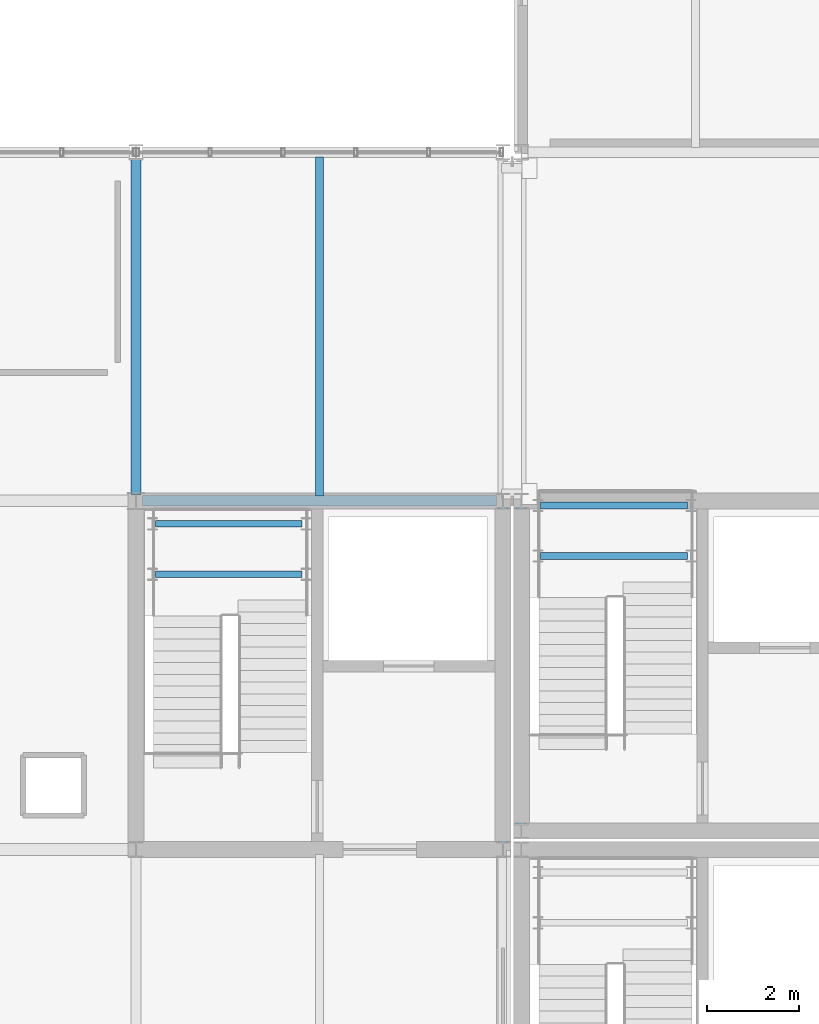
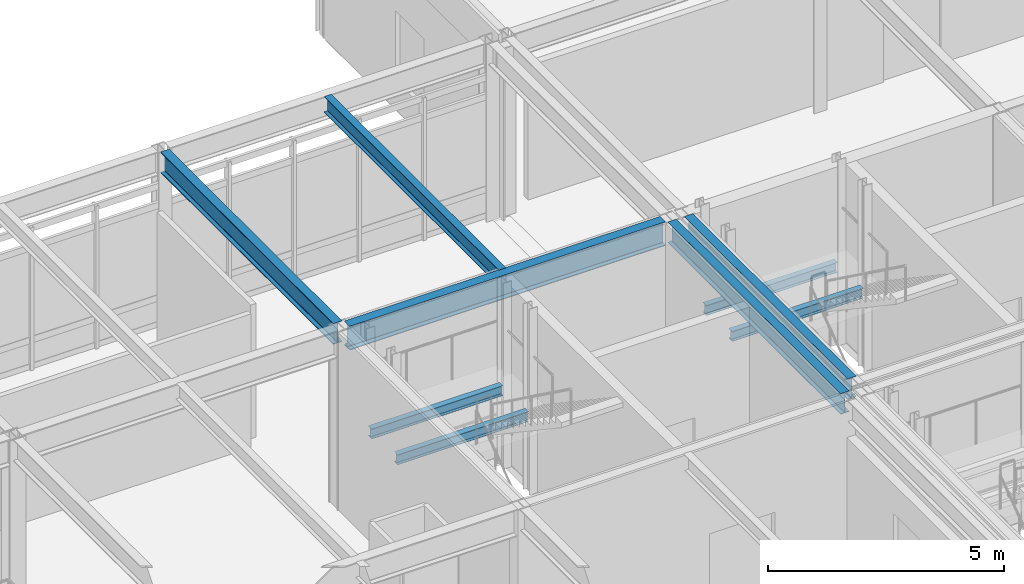
# One storey, part 55 of 104: 9 beams.
"""IFC4 building model written with IfcOpenShell, lengths in metres."""

from ifc_helpers import new_model, si_unit, direction, frame, origin, origin_2d, place, context, subcontext, project, spatial, i_section, extrude, material, material_profile, profile_set, type_object, element, save


model = new_model("IFC4")

# Units and contexts
model_context = context("Model", 3, precision=1e-05, world=origin(), true_north=direction((0.0, 1.0)))
body_context = subcontext(model_context, "Body", "Model", "MODEL_VIEW")
ifc_project = project(units=[si_unit("LENGTHUNIT", "METRE"), si_unit("AREAUNIT", "SQUARE_METRE"), si_unit("VOLUMEUNIT", "CUBIC_METRE"), si_unit("PLANEANGLEUNIT", "RADIAN"), si_unit("MASSUNIT", "GRAM", prefix="KILO")], contexts=[model_context])

# Site, building, storey
site_placement = place(None, origin())
site = spatial("IfcSite", under=ifc_project, at=site_placement, CompositionType="ELEMENT")
building_placement = place(site_placement, origin())
building = spatial("IfcBuilding", under=site, at=building_placement, Name="Zulena Civic Courthouse", CompositionType="ELEMENT")
storey_placement = place(building_placement, frame((0.0, 0.0, 10.800048828125)))
storey = spatial("IfcBuildingStorey", under=building, at=storey_placement, Name="L02", CompositionType="ELEMENT", Elevation=10.800048828125)

# Beams
ifc_material = material(Name="Steel ASTM A992 Grade 50", Category="steel")
ifc_material_profile_1 = material_profile(ifc_material, i_section(OverallWidth=0.14599609375, OverallDepth=0.258056640625, WebThickness=0.006103515625, FlangeThickness=0.009033203125, FilletRadius=0.007568359375, at=origin_2d()), Name="W10X22")
ifc_profile_set_1 = profile_set([ifc_material_profile_1], Name="Steel ASTM A992 Grade 50")
beam_type_1 = type_object("IfcBeamType", Name="Joist_W10X22", PredefinedType="JOIST", material=ifc_profile_set_1)
for number, where, z_axis, x_axis, name in (
    (1, (124.820068359375, 36.800048828125, 1.990966796875), (1.0, 0.0, 0.0), (0.0, 1.0, 0.0), "beam:lnd:K3A:L02:0"),
    (2, (124.820068359375, 37.89990234375, 1.990966796875), (1.0, 0.0, 0.0), (0.0, 1.0, 0.0), "beam:lnd:K3A:L02:1"),
):
    element("IfcBeam", number, at=place(storey_placement, frame(where, z_axis=z_axis, x_axis=x_axis)), inside=storey, type_object=beam_type_1, Name=name, PredefinedType="JOIST", context=body_context, shape_type="SweptSolid", body=[
        extrude(i_section(OverallWidth=0.14599609375, OverallDepth=0.258056640625, WebThickness=0.006103515625, FlangeThickness=0.009033203125, FilletRadius=0.007568359375, at=origin_2d()), origin(), (0.0, 0.0, 1.0), 3.199951171875),
    ])
for number, where, z_axis, x_axis, name in (
    (3, (116.419921875, 36.39990234375, 1.990966796875), (1.0, 0.0, 0.0), (0.0, 1.0, 0.0), "beam:lnd:K4B:L02:0"),
    (4, (116.419921875, 37.5, 1.990966796875), (1.0, 0.0, 0.0), (0.0, 1.0, 0.0), "beam:lnd:K4B:L02:1"),
):
    element("IfcBeam", number, at=place(storey_placement, frame(where, z_axis=z_axis, x_axis=x_axis)), inside=storey, type_object=beam_type_1, Name=name, PredefinedType="JOIST", context=body_context, shape_type="SweptSolid", body=[
        extrude(i_section(OverallWidth=0.14599609375, OverallDepth=0.258056640625, WebThickness=0.006103515625, FlangeThickness=0.009033203125, FilletRadius=0.007568359375, at=origin_2d()), origin(), (0.0, 0.0, 1.0), 3.2001953125),
    ])
ifc_material_profile_2 = material_profile(ifc_material, i_section(OverallWidth=0.177978515625, OverallDepth=0.406005859375, WebThickness=0.0078125, FlangeThickness=0.0126953125, FilletRadius=0.01025390625, at=origin_2d()), Name="W16X40")
ifc_profile_set_2 = profile_set([ifc_material_profile_2], Name="Steel ASTM A992 Grade 50")
beam_type_2 = type_object("IfcBeamType", Name="Joist_W16X40", PredefinedType="JOIST", material=ifc_profile_set_2)
beam_1_placement = place(storey_placement, frame((120.0, 38.10498046875, 4.386962890625), z_axis=(0.0, 1.0, 0.0), x_axis=(-1.0, 0.0, 0.0)))
element("IfcBeam", 5, at=beam_1_placement, inside=storey, type_object=beam_type_2, Name="joist:V4:L02:120.00:38.0_45.6", PredefinedType="JOIST", context=body_context, shape_type="SweptSolid", body=[
    extrude(i_section(OverallWidth=0.177978515625, OverallDepth=0.406005859375, WebThickness=0.0078125, FlangeThickness=0.0126953125, FilletRadius=0.01025390625, at=origin_2d()), origin(), (0.0, 0.0, 1.0), 7.39013671875),
])
ifc_material_profile_3 = material_profile(ifc_material, i_section(OverallWidth=0.2099609375, OverallDepth=0.537109375, WebThickness=0.010986328125, FlangeThickness=0.017333984375, FilletRadius=0.0126953125, at=origin_2d()), Name="W21X68")
ifc_profile_set_3 = profile_set([ifc_material_profile_3], Name="Steel ASTM A992 Grade 50")
beam_type_3 = type_object("IfcBeamType", Name="Spandrel_W21X68", PredefinedType="SPANDREL", material=ifc_profile_set_3)
beam_2_placement = place(storey_placement, frame((124.39990234375, 30.945068359375, 4.321533203125), z_axis=(0.0, 1.0, 0.0), x_axis=(-1.0, 0.0, 0.0)))
element("IfcBeam", 6, at=beam_2_placement, inside=storey, type_object=beam_type_3, Name="beam:Y:V3:L02:124.4:30.8_38.0", PredefinedType="SPANDREL", context=body_context, shape_type="SweptSolid", body=[
    extrude(i_section(OverallWidth=0.2099609375, OverallDepth=0.537109375, WebThickness=0.010986328125, FlangeThickness=0.017333984375, FilletRadius=0.0126953125, at=origin_2d()), origin(), (0.0, 0.0, 1.0), 6.909912109375),
])
for number, where, z_axis, x_axis, name in (
    (7, (116.0, 38.14501953125, 4.321533203125), (0.0, 1.0, 0.0), (-1.0, 0.0, 0.0), "beam:Y:V4:L02:116.0:38.0_45.6"),
    (8, (124.0, 30.544921875, 4.321533203125), (0.0, 1.0, 0.0), (-1.0, 0.0, 0.0), "beam:Y:V4:L02:124.0:30.4_38.0"),
):
    element("IfcBeam", number, at=place(storey_placement, frame(where, z_axis=z_axis, x_axis=x_axis)), inside=storey, type_object=beam_type_3, Name=name, PredefinedType="SPANDREL", context=body_context, shape_type="SweptSolid", body=[
        extrude(i_section(OverallWidth=0.2099609375, OverallDepth=0.537109375, WebThickness=0.010986328125, FlangeThickness=0.017333984375, FilletRadius=0.0126953125, at=origin_2d()), origin(), (0.0, 0.0, 1.0), 7.31005859375),
    ])
ifc_material_profile_4 = material_profile(ifc_material, i_section(OverallWidth=0.22998046875, OverallDepth=0.616943359375, WebThickness=0.01318359375, FlangeThickness=0.022216796875, FilletRadius=0.0126953125, at=origin_2d()), Name="W24X94")
ifc_profile_set_4 = profile_set([ifc_material_profile_4], Name="Steel ASTM A992 Grade 50")
beam_type_4 = type_object("IfcBeamType", Name="Spandrel_W24X94", PredefinedType="SPANDREL", material=ifc_profile_set_4)
beam_3_placement = place(storey_placement, frame((116.14501953125, 38.0, 4.281494140625), z_axis=(1.0, 0.0, 0.0), x_axis=(0.0, 1.0, 0.0)))
element("IfcBeam", 9, at=beam_3_placement, inside=storey, type_object=beam_type_4, Name="beam:X:V4:L02:38.0:116.0_124.0", PredefinedType="SPANDREL", context=body_context, shape_type="SweptSolid", body=[
    extrude(i_section(OverallWidth=0.22998046875, OverallDepth=0.616943359375, WebThickness=0.01318359375, FlangeThickness=0.022216796875, FilletRadius=0.0126953125, at=origin_2d()), origin(), (0.0, 0.0, 1.0), 7.7099609375),
])

save(model, "model.ifc")
